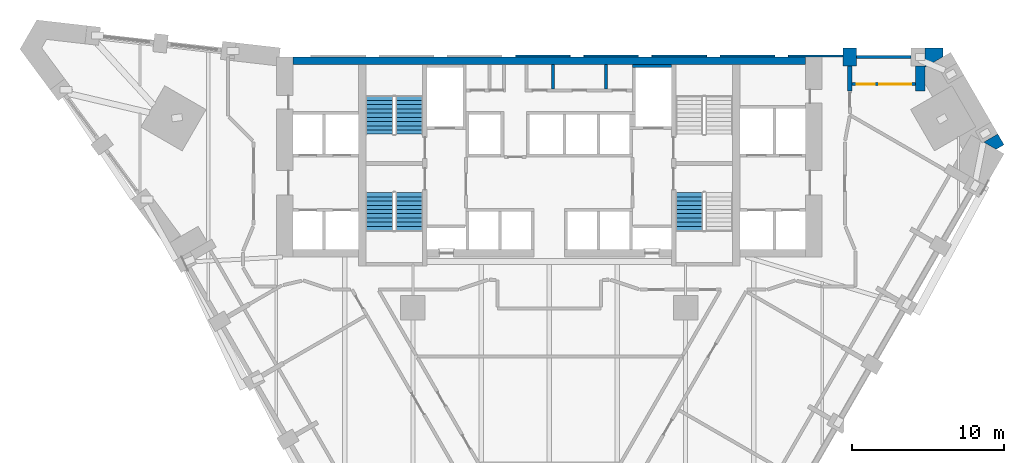
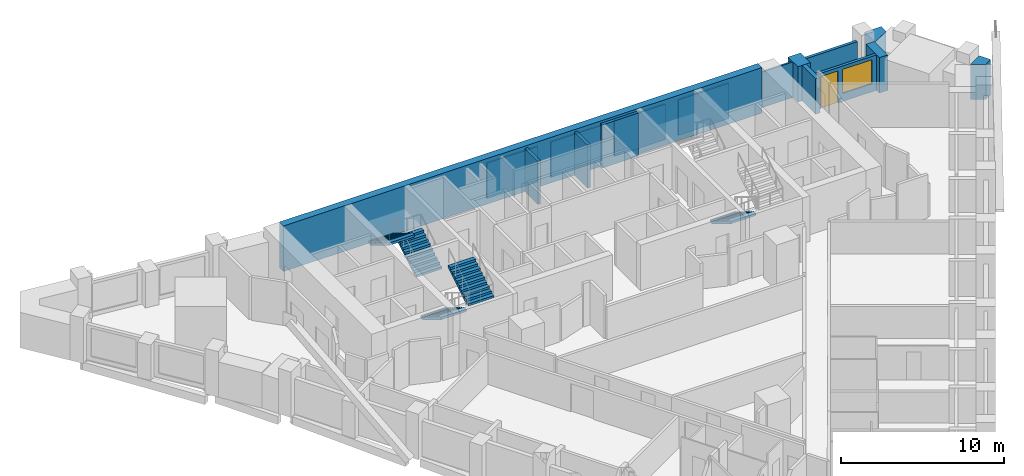
# One storey, part 9 of 11: 16 walls, 5 stair flights, 1 door, 1 window, 2 openings, 3 elements without a shape of their own.
"""IFC4 building model written with IfcOpenShell, lengths in metres."""

from ifc_helpers import new_model, si_unit, direction, frame, frame_2d, origin, place, context, subcontext, project, spatial, polyline, rectangle, outline, extrude, faceted_brep, source, transform, mapped, material, layer, layer_set, type_object, element, fill, aggregate, save


model = new_model("IFC4")

# Units and contexts
model_context = context("Model", 3, precision=1e-05, world=origin(), true_north=direction((0.0, 1.0)))
body_context = subcontext(model_context, "Body", "Model", "MODEL_VIEW")
ifc_project = project(units=[si_unit("LENGTHUNIT", "METRE"), si_unit("AREAUNIT", "SQUARE_METRE"), si_unit("VOLUMEUNIT", "CUBIC_METRE"), si_unit("PLANEANGLEUNIT", "RADIAN"), si_unit("MASSUNIT", "GRAM", prefix="KILO")], contexts=[model_context])

# Site, building, storey
site_placement = place(None, origin())
site = spatial("IfcSite", under=ifc_project, at=site_placement, CompositionType="ELEMENT")
building_placement = place(site_placement, origin())
building = spatial("IfcBuilding", under=site, at=building_placement, Name="Calabash Gate Tower", CompositionType="ELEMENT")
storey_placement = place(building_placement, frame((0.0, 0.0, 73.199951171875)))
storey = spatial("IfcBuildingStorey", under=building, at=storey_placement, Name="L14", CompositionType="ELEMENT", Elevation=73.199951171875)

# Walls
ifc_material_1 = material(Name="Terracotta brick masonry, exposed face", Category="masonry")
ifc_layer_1 = layer(ifc_material_1, 2.5)
ifc_layer_set_1 = layer_set([ifc_layer_1], Name="Brick corner mass wall 2500")
wall_type_1 = type_object("IfcWallType", Name="Brick corner mass wall 2500", PredefinedType="SOLIDWALL", material=ifc_layer_set_1)
wall_1_placement = place(storey_placement, origin())
element("IfcWall", 1, at=wall_1_placement, inside=storey, type_object=wall_type_1, Name="Brick corner pier S03 3ba", PredefinedType="SOLIDWALL", context=body_context, shape_type="SweptSolid", body=[
    extrude(outline(polyline([(29.481201171875, 12.957763671875), (30.000732421875, 13.2578125), (29.59130859375, 13.967041015625), (28.662353515625, 13.4306640625), (29.481201171875, 12.957763671875)])), origin(), (0.0, 0.0, 1.0), 2.630126953125),
])
wall_2_placement = place(storey_placement, origin())
element("IfcWall", 2, at=wall_2_placement, inside=storey, type_object=wall_type_1, Name="Brick corner pier S03 3c", PredefinedType="SOLIDWALL", context=body_context, shape_type="SweptSolid", body=[
    extrude(outline(polyline([(24.77783203125, 18.452880859375), (24.77783203125, 18.36865234375), (25.96240234375, 19.052490234375), (25.96240234375, 19.652587890625), (24.778076171875, 19.652587890625), (24.778076171875, 18.452880859375), (24.77783203125, 18.452880859375)])), origin(), (0.0, 0.0, 1.0), 2.630126953125),
])
ifc_material_2 = material(Name="Terracotta brick masonry, exposed face", Category="masonry")
ifc_layer_2 = layer(ifc_material_2, 1.199951171875)
ifc_layer_set_2 = layer_set([ifc_layer_2], Name="Brick end wall 1200")
wall_type_2 = type_object("IfcWallType", Name="Brick end wall 1200", PredefinedType="SOLIDWALL", material=ifc_layer_set_2)
wall_3_placement = place(storey_placement, origin())
element("IfcWall", 3, at=wall_3_placement, inside=storey, type_object=wall_type_2, Name="Brick pier S03 N4.1", PredefinedType="SOLIDWALL", context=body_context, shape_type="SweptSolid", body=[
    extrude(outline(polyline([(20.27783203125, 19.652587890625), (19.3779296875, 19.652587890625), (19.3779296875, 18.45263671875), (20.27783203125, 18.45263671875), (20.27783203125, 19.652587890625)])), origin(), (0.0, 0.0, 1.0), 2.650146484375),
])
ifc_material_3 = material(Name="Terracotta brick masonry, exposed face", Category="masonry")
ifc_layer_3 = layer(ifc_material_3, 0.300048828125)
ifc_layer_set_3 = layer_set([ifc_layer_3], Name="Brick loggia cheek wall 300")
wall_type_3 = type_object("IfcWallType", Name="Brick loggia cheek wall 300", PredefinedType="SOLIDWALL", material=ifc_layer_set_3)
wall_4_placement = place(storey_placement, origin())
element("IfcWall", 4, at=wall_4_placement, inside=storey, type_object=wall_type_3, Name="Loggia cheek S03 N4.0", PredefinedType="SOLIDWALL", context=body_context, shape_type="SweptSolid", body=[
    extrude(outline(polyline([(24.77783203125, 16.802490234375), (24.77783203125, 18.45263671875), (24.177978515625, 18.45263671875), (24.177978515625, 16.802490234375), (24.77783203125, 16.802490234375)])), origin(), (0.0, 0.0, 1.0), 2.650146484375),
])
wall_5_placement = place(storey_placement, origin())
element("IfcWall", 5, at=wall_5_placement, inside=storey, type_object=wall_type_3, Name="Loggia cheek S03 N4.1", PredefinedType="SOLIDWALL", context=body_context, shape_type="SweptSolid", body=[
    extrude(outline(polyline([(19.677978515625, 18.45263671875), (19.677978515625, 16.802490234375), (19.977783203125, 16.802490234375), (19.977783203125, 18.45263671875), (19.677978515625, 18.45263671875)])), origin(), (0.0, 0.0, 1.0), 2.650146484375),
])
ifc_material_4 = material(Name="Gypsum board on steel studs, mineral wool", Category="steel")
ifc_layer_4 = layer(ifc_material_4, 0.199951171875)
ifc_layer_set_4 = layer_set([ifc_layer_4], Name="Core partition 200 gypsum board")
wall_type_4 = type_object("IfcWallType", Name="Core partition 200 gypsum board", PredefinedType="PARTITIONING", material=ifc_layer_set_4)
for number, where, z_axis, x_axis, name in (
    (6, (0.25, 16.95263671875, 0.0), (0.0, 0.0, 1.0), (0.0, 1.0, 0.0), "Core partition"),
    (7, (3.75, 16.95263671875, 0.0), (0.0, 0.0, 1.0), (0.0, 1.0, 0.0), "Core partition"),
):
    element("IfcWall", number, at=place(storey_placement, frame(where, z_axis=z_axis, x_axis=x_axis)), inside=storey, type_object=wall_type_4, Name=name, PredefinedType="PARTITIONING", context=body_context, shape_type="SweptSolid", body=[
        extrude(rectangle(XDim=1.599853515625, YDim=0.199951171875, at=frame_2d((0.7998046875, 0.0))), origin(), (0.0, 0.0, 1.0), 3.22998046875),
    ])
ifc_material_5 = material(Name="Concrete C80/95", Category="concrete")
ifc_layer_5 = layer(ifc_material_5, 0.5)
ifc_layer_set_5 = layer_set([ifc_layer_5], Name="Core wall 500 Concrete C80/95")
wall_type_5 = type_object("IfcWallType", Name="Core wall 500 Concrete C80/95", PredefinedType="SHEAR", material=ifc_layer_set_5)
wall_6_placement = place(storey_placement, frame((-16.89990234375, 18.802490234375, 0.0), z_axis=(0.0, 0.0, 1.0), x_axis=(1.0, 0.0, 0.0)))
element("IfcWall", 8, at=wall_6_placement, inside=storey, type_object=wall_type_5, Name="Core wall Z1-N L14", PredefinedType="SHEAR", context=body_context, shape_type="SweptSolid", body=[
    extrude(rectangle(XDim=33.7998046875, YDim=0.5, at=frame_2d((16.89990234375, 0.0))), origin(), (0.0, 0.0, 1.0), 3.400146484375),
])
ifc_material_6 = material(Name="Concrete C40/50", Category="concrete")
ifc_layer_6 = layer(ifc_material_6, 0.199951171875)
ifc_layer_set_6 = layer_set([ifc_layer_6], Name="Shaft wall 200 Concrete C40/50")
wall_type_6 = type_object("IfcWallType", Name="Shaft wall 200 Concrete C40/50", PredefinedType="SOLIDWALL", material=ifc_layer_set_6)
wall_7_placement = place(storey_placement, frame((5.5, 18.45263671875, 0.0), z_axis=(0.0, 0.0, 1.0), x_axis=(1.0, 0.0, 0.0)))
element("IfcWall", 9, at=wall_7_placement, inside=storey, type_object=wall_type_6, Name="Shaft wall", PredefinedType="SOLIDWALL", context=body_context, shape_type="SweptSolid", body=[
    extrude(rectangle(XDim=2.550048828125, YDim=0.199951171875, at=frame_2d((1.27490234375, 0.0))), origin(), (0.0, 0.0, 1.0), 3.22998046875),
])
ifc_material_7 = material(Name="Terracotta brick masonry, perforated", Category="masonry")
ifc_layer_7 = layer(ifc_material_7, 0.1201171875)
ifc_layer_set_7 = layer_set([ifc_layer_7], Name="Terracotta jaali cladding A 120")
wall_type_7 = type_object("IfcWallType", Name="Terracotta jaali cladding A 120", PredefinedType="SOLIDWALL", material=ifc_layer_set_7)
wall_8_placement = place(storey_placement, origin())
element("IfcWall", 10, at=wall_8_placement, inside=storey, type_object=wall_type_7, Name="Jaali cladding S03 N4.3", PredefinedType="SOLIDWALL", context=body_context, shape_type="SweptSolid", body=[
    extrude(outline(polyline([(11.27783203125, 19.172607421875), (11.27783203125, 19.052490234375), (14.8779296875, 19.052490234375), (14.8779296875, 19.172607421875), (11.27783203125, 19.172607421875)])), origin(), (0.0, 0.0, 1.0), 2.650146484375),
])
wall_9_placement = place(storey_placement, origin())
element("IfcWall", 11, at=wall_9_placement, inside=storey, type_object=wall_type_7, Name="Jaali cladding S03 N4.5", PredefinedType="SOLIDWALL", context=body_context, shape_type="SweptSolid", body=[
    extrude(outline(polyline([(2.27783203125, 19.172607421875), (2.27783203125, 19.052490234375), (5.8779296875, 19.052490234375), (5.8779296875, 19.172607421875), (2.27783203125, 19.172607421875)])), origin(), (0.0, 0.0, 1.0), 2.650146484375),
])
ifc_material_8 = material(Name="Terracotta brick masonry, perforated", Category="masonry")
ifc_layer_8 = layer(ifc_material_8, 0.199951171875)
ifc_layer_set_8 = layer_set([ifc_layer_8], Name="Terracotta jaali screen A")
wall_type_8 = type_object("IfcWallType", Name="Terracotta jaali screen A", PredefinedType="SOLIDWALL", material=ifc_layer_set_8)
wall_10_placement = place(storey_placement, frame((23.8779296875, 19.052490234375, 0.0), z_axis=(0.0, 0.0, 1.0), x_axis=(-1.0, 0.0, 0.0)))
element("IfcWall", 12, at=wall_10_placement, inside=storey, type_object=wall_type_8, Name="SCREEN A S03 N4.1", PredefinedType="SOLIDWALL", context=body_context, shape_type="SweptSolid", body=[
    extrude(rectangle(XDim=3.60009765625, YDim=0.199951171875, at=frame_2d((1.800048828125, 0.0))), origin(), (0.0, 0.0, 1.0), 2.650146484375),
])
ifc_material_9 = material(Name="Terracotta louvre blades in an aluminium frame", Category="masonry")
ifc_layer_9 = layer(ifc_material_9, 0.1201171875)
ifc_layer_set_9 = layer_set([ifc_layer_9], Name="Terracotta vent louvre cladding 120")
wall_type_9 = type_object("IfcWallType", Name="Terracotta vent louvre cladding 120", PredefinedType="ELEMENTEDWALL", material=ifc_layer_set_9)
wall_11_placement = place(storey_placement, origin())
element("IfcWall", 13, at=wall_11_placement, inside=storey, type_object=wall_type_9, Name="Vent louvre cladding S03 N4.2", PredefinedType="ELEMENTEDWALL", context=body_context, shape_type="SweptSolid", body=[
    extrude(outline(polyline([(15.77783203125, 19.172607421875), (15.77783203125, 19.052490234375), (19.37744140625, 19.052490234375), (19.37744140625, 19.172607421875), (15.77783203125, 19.172607421875)])), origin(), (0.0, 0.0, 1.0), 2.650146484375),
])
wall_12_placement = place(storey_placement, origin())
element("IfcWall", 14, at=wall_12_placement, inside=storey, type_object=wall_type_9, Name="Vent louvre cladding S03 N4.4", PredefinedType="ELEMENTEDWALL", context=body_context, shape_type="SweptSolid", body=[
    extrude(outline(polyline([(6.77783203125, 19.172607421875), (6.77783203125, 19.052490234375), (10.3779296875, 19.052490234375), (10.3779296875, 19.172607421875), (6.77783203125, 19.172607421875)])), origin(), (0.0, 0.0, 1.0), 2.650146484375),
])
wall_13_placement = place(storey_placement, origin())
element("IfcWall", 15, at=wall_13_placement, inside=storey, type_object=wall_type_9, Name="Vent louvre cladding S03 N4.6", PredefinedType="ELEMENTEDWALL", context=body_context, shape_type="SweptSolid", body=[
    extrude(outline(polyline([(-2.22216796875, 19.172607421875), (-2.22216796875, 19.052490234375), (1.3779296875, 19.052490234375), (1.3779296875, 19.172607421875), (-2.22216796875, 19.172607421875)])), origin(), (0.0, 0.0, 1.0), 2.650146484375),
])

# Wall, openings, door, window
ifc_material_10 = material(Name="Aluminium framed window wall with insulated spandrel", Category="aluminium")
ifc_layer_10 = layer(ifc_material_10, 0.199951171875)
ifc_layer_set_10 = layer_set([ifc_layer_10], Name="Window wall 200")
wall_type_10 = type_object("IfcWallType", Name="Window wall 200", PredefinedType="ELEMENTEDWALL", material=ifc_layer_set_10)
wall_14_placement = place(storey_placement, frame((24.177978515625, 17.25244140625, 0.0), z_axis=(0.0, 0.0, 1.0), x_axis=(-1.0, 0.0, 0.0)))
wall_14 = element("IfcWall", 16, at=wall_14_placement, inside=storey, type_object=wall_type_10, Name="Window wall S03 N4.1", PredefinedType="ELEMENTEDWALL", context=body_context, shape_type="SweptSolid", body=[
    extrude(rectangle(XDim=4.2001953125, YDim=0.199951171875, at=frame_2d((2.10009765625, 0.0))), origin(), (0.0, 0.0, 1.0), 2.650146484375),
])
opening_1_placement = place(wall_14_placement, frame((0.300048828125, 0.0, 0.60009765625)))
opening_1 = element("IfcOpeningElement", 17, at=opening_1_placement, cuts=wall_14, Name="Opening HW1", PredefinedType="OPENING", context=body_context, shape_type="SweptSolid", body=[
    extrude(rectangle(XDim=2.10009765625, YDim=1.800048828125, at=frame_2d((1.050048828125, 0.89990234375))), frame((0.0, 0.10986328125, 0.0), z_axis=(0.0, -1.0, 0.0), x_axis=(1.0, 0.0, 0.0)), (0.0, 0.0, 1.0), 0.219970703125),
])
opening_2_placement = place(wall_14_placement, frame((2.699951171875, 0.0, 0.0)))
opening_2 = element("IfcOpeningElement", 18, at=opening_2_placement, cuts=wall_14, Name="Opening H3-019", PredefinedType="OPENING", context=body_context, shape_type="SweptSolid", body=[
    extrude(rectangle(XDim=1.199951171875, YDim=2.39990234375, at=frame_2d((0.60009765625, 1.199951171875))), frame((0.0, 0.10986328125, 0.0), z_axis=(0.0, -1.0, 0.0), x_axis=(1.0, 0.0, 0.0)), (0.0, 0.0, 1.0), 0.219970703125),
])
ifc_material_11 = material(Name="Anodised aluminium frame, bronze finish, impact-rated laminated clear glazing", Category="aluminium")
door_type = type_object("IfcDoorType", Name="Loggia door DH1 1200x2400", OperationType="SLIDING_TO_LEFT", PredefinedType="DOOR", material=ifc_material_11)
door_placement = place(opening_2_placement, origin())
door = element("IfcDoor", 19, at=door_placement, inside=storey, type_object=door_type, Name="Loggia door S03 N4.1", OperationType="SINGLE_SWING_LEFT", OverallHeight=2.39990234375, OverallWidth=1.199951171875, PredefinedType="DOOR", context=body_context, shape_type="SweptSolid", body=[
    extrude(rectangle(XDim=1.199951171875, YDim=2.39990234375, at=frame_2d((0.60009765625, 1.199951171875))), frame((0.0, 0.02490234375, 0.0), z_axis=(0.0, -1.0, 0.0), x_axis=(1.0, 0.0, 0.0)), (0.0, 0.0, 1.0), 0.050048828125),
])
fill(opening_2, door)
ifc_material_12 = material(Name="Anodised aluminium frame, bronze finish, impact-rated laminated clear glazing", Category="aluminium")
window_type = type_object("IfcWindowType", Name="Window HW1 2100x1800", PartitioningType="DOUBLE_PANEL_VERTICAL", PredefinedType="WINDOW", material=ifc_material_12)
window_placement = place(opening_1_placement, origin())
window = element("IfcWindow", 20, at=window_placement, inside=storey, type_object=window_type, Name="Window HW1 S03 N4.1", OverallHeight=1.800048828125, OverallWidth=2.10009765625, PartitioningType="SINGLE_PANEL", PredefinedType="WINDOW", context=body_context, shape_type="SweptSolid", body=[
    extrude(rectangle(XDim=2.10009765625, YDim=1.800048828125, at=frame_2d((1.050048828125, 0.89990234375))), frame((0.0, 0.030029296875, 0.0), z_axis=(0.0, -1.0, 0.0), x_axis=(1.0, 0.0, 0.0)), (0.0, 0.0, 1.0), 0.06005859375),
])
fill(opening_1, window)

# Stair, stair flights
ifc_material_13 = material(Name="Concrete C40/50", Category="concrete")
stair_type = type_object("IfcStairType", Name="Exit stair 20 risers of 170 mm", PredefinedType="HALF_TURN_STAIR", material=ifc_material_13)
stair_1_placement = place(storey_placement, origin())
stair_1 = element("IfcStair", 21, at=stair_1_placement, inside=storey, type_object=stair_type, Name="L14 Exit stair ST1", PredefinedType="HALF_TURN_STAIR")
ifc_material_14 = material(Name="Concrete C40/50", Category="concrete")
stair_flight_type = type_object("IfcStairFlightType", Name="Exit stair flight SFL", PredefinedType="STRAIGHT", material=ifc_material_14)
shared_shape = source(origin(), body_context, "Body", "Brep", [
    faceted_brep([(-0.0009765625, -0.89990234375, 0.0), (0.2880859375, -0.89990234375, 0.0), (2.511962890625, -0.89990234375, 1.3544921875), (-0.0009765625, 0.89990234375, 0.0), (2.511962890625, 0.89990234375, 1.3544921875), (0.2880859375, 0.89990234375, 0.0), (2.511962890625, -0.89990234375, 1.5419921875), (2.510986328125, -0.89990234375, 1.5419921875), (2.510986328125, 0.89990234375, 1.5419921875), (2.511962890625, 0.89990234375, 1.5419921875), (2.510986328125, -0.89990234375, 1.530029296875), (2.510986328125, 0.89990234375, 1.530029296875), (2.23193359375, -0.89990234375, 1.530029296875), (2.23193359375, 0.89990234375, 1.530029296875), (2.23193359375, -0.89990234375, 1.360107421875), (2.23193359375, 0.89990234375, 1.360107421875), (1.952880859375, -0.89990234375, 1.360107421875), (1.952880859375, 0.89990234375, 1.360107421875), (1.952880859375, -0.89990234375, 1.18994140625), (1.952880859375, 0.89990234375, 1.18994140625), (1.674072265625, -0.89990234375, 1.18994140625), (1.674072265625, -0.89990234375, 1.02001953125), (1.674072265625, 0.89990234375, 1.02001953125), (1.674072265625, 0.89990234375, 1.18994140625), (1.39501953125, -0.89990234375, 1.02001953125), (1.39501953125, -0.89990234375, 0.85009765625), (1.39501953125, 0.89990234375, 0.85009765625), (1.39501953125, 0.89990234375, 1.02001953125), (1.115966796875, -0.89990234375, 0.85009765625), (1.115966796875, -0.89990234375, 0.679931640625), (1.115966796875, 0.89990234375, 0.679931640625), (1.115966796875, 0.89990234375, 0.85009765625), (0.8369140625, -0.89990234375, 0.679931640625), (0.8369140625, -0.89990234375, 0.510009765625), (0.8369140625, 0.89990234375, 0.510009765625), (0.8369140625, 0.89990234375, 0.679931640625), (0.55810546875, -0.89990234375, 0.510009765625), (0.55810546875, -0.89990234375, 0.340087890625), (0.55810546875, 0.89990234375, 0.340087890625), (0.55810546875, 0.89990234375, 0.510009765625), (0.279052734375, -0.89990234375, 0.340087890625), (0.279052734375, -0.89990234375, 0.169921875), (0.279052734375, 0.89990234375, 0.169921875), (0.279052734375, 0.89990234375, 0.340087890625), (-0.0009765625, -0.89990234375, 0.169921875), (-0.0009765625, 0.89990234375, 0.169921875), (0.2880859375, -0.360107421875, 0.0), (2.511962890625, -0.360107421875, 1.3544921875), (0.2880859375, -0.179931640625, 0.0), (2.511962890625, -0.179931640625, 1.3544921875), (0.2880859375, 0.0, 0.0), (2.511962890625, 0.0, 1.3544921875), (0.2880859375, 0.179931640625, 0.0), (2.511962890625, 0.179931640625, 1.3544921875), (0.2880859375, 0.360107421875, 0.0), (2.511962890625, 0.360107421875, 1.3544921875), (2.511962890625, -0.360107421875, 1.5419921875), (2.511962890625, -0.179931640625, 1.5419921875), (2.511962890625, 0.0, 1.5419921875), (2.511962890625, 0.179931640625, 1.5419921875), (2.511962890625, 0.360107421875, 1.5419921875), (2.510986328125, -0.360107421875, 1.5419921875), (2.510986328125, -0.179931640625, 1.5419921875), (2.510986328125, 0.0, 1.5419921875), (2.510986328125, 0.179931640625, 1.5419921875), (2.510986328125, 0.360107421875, 1.5419921875), (2.510986328125, -0.360107421875, 1.530029296875), (2.510986328125, -0.179931640625, 1.530029296875), (2.510986328125, 0.0, 1.530029296875), (2.510986328125, 0.179931640625, 1.530029296875), (2.510986328125, 0.360107421875, 1.530029296875), (2.23193359375, -0.360107421875, 1.530029296875), (2.23193359375, -0.179931640625, 1.530029296875), (2.23193359375, 0.0, 1.530029296875), (2.23193359375, 0.179931640625, 1.530029296875), (2.23193359375, 0.360107421875, 1.530029296875), (2.23193359375, -0.360107421875, 1.360107421875), (2.23193359375, -0.179931640625, 1.360107421875), (2.23193359375, 0.0, 1.360107421875), (2.23193359375, 0.179931640625, 1.360107421875), (2.23193359375, 0.360107421875, 1.360107421875), (1.952880859375, -0.360107421875, 1.360107421875), (1.952880859375, -0.179931640625, 1.360107421875), (1.952880859375, 0.0, 1.360107421875), (1.952880859375, 0.179931640625, 1.360107421875), (1.952880859375, 0.360107421875, 1.360107421875), (1.952880859375, -0.360107421875, 1.18994140625), (1.952880859375, -0.179931640625, 1.18994140625), (1.952880859375, 0.0, 1.18994140625), (1.952880859375, 0.179931640625, 1.18994140625), (1.952880859375, 0.360107421875, 1.18994140625), (1.674072265625, -0.360107421875, 1.18994140625), (1.674072265625, -0.179931640625, 1.18994140625), (1.674072265625, 0.0, 1.18994140625), (1.674072265625, 0.179931640625, 1.18994140625), (1.674072265625, 0.360107421875, 1.18994140625), (1.674072265625, -0.360107421875, 1.02001953125), (1.674072265625, -0.179931640625, 1.02001953125), (1.674072265625, 0.0, 1.02001953125), (1.674072265625, 0.179931640625, 1.02001953125), (1.674072265625, 0.360107421875, 1.02001953125), (1.39501953125, -0.360107421875, 1.02001953125), (1.39501953125, -0.179931640625, 1.02001953125), (1.39501953125, 0.0, 1.02001953125), (1.39501953125, 0.179931640625, 1.02001953125), (1.39501953125, 0.360107421875, 1.02001953125), (1.39501953125, -0.360107421875, 0.85009765625), (1.39501953125, -0.179931640625, 0.85009765625), (1.39501953125, 0.0, 0.85009765625), (1.39501953125, 0.179931640625, 0.85009765625), (1.39501953125, 0.360107421875, 0.85009765625), (1.115966796875, -0.360107421875, 0.85009765625), (1.115966796875, -0.179931640625, 0.85009765625), (1.115966796875, 0.0, 0.85009765625), (1.115966796875, 0.179931640625, 0.85009765625), (1.115966796875, 0.360107421875, 0.85009765625), (1.115966796875, -0.360107421875, 0.679931640625), (1.115966796875, -0.179931640625, 0.679931640625), (1.115966796875, 0.0, 0.679931640625), (1.115966796875, 0.179931640625, 0.679931640625), (1.115966796875, 0.360107421875, 0.679931640625), (0.8369140625, -0.360107421875, 0.679931640625), (0.8369140625, -0.179931640625, 0.679931640625), (0.8369140625, 0.0, 0.679931640625), (0.8369140625, 0.179931640625, 0.679931640625), (0.8369140625, 0.360107421875, 0.679931640625), (0.8369140625, -0.360107421875, 0.510009765625), (0.8369140625, -0.179931640625, 0.510009765625), (0.8369140625, 0.0, 0.510009765625), (0.8369140625, 0.179931640625, 0.510009765625), (0.8369140625, 0.360107421875, 0.510009765625), (0.55810546875, -0.360107421875, 0.510009765625), (0.55810546875, -0.179931640625, 0.510009765625), (0.55810546875, 0.0, 0.510009765625), (0.55810546875, 0.179931640625, 0.510009765625), (0.55810546875, 0.360107421875, 0.510009765625), (0.55810546875, -0.360107421875, 0.340087890625), (0.55810546875, -0.179931640625, 0.340087890625), (0.55810546875, 0.0, 0.340087890625), (0.55810546875, 0.179931640625, 0.340087890625), (0.55810546875, 0.360107421875, 0.340087890625), (0.279052734375, -0.360107421875, 0.340087890625), (0.279052734375, -0.179931640625, 0.340087890625), (0.279052734375, 0.0, 0.340087890625), (0.279052734375, 0.179931640625, 0.340087890625), (0.279052734375, 0.360107421875, 0.340087890625), (0.279052734375, -0.360107421875, 0.169921875), (0.279052734375, -0.179931640625, 0.169921875), (0.279052734375, 0.0, 0.169921875), (0.279052734375, 0.179931640625, 0.169921875), (0.279052734375, 0.360107421875, 0.169921875), (-0.0009765625, -0.360107421875, 0.169921875), (-0.0009765625, -0.179931640625, 0.169921875), (-0.0009765625, 0.0, 0.169921875), (-0.0009765625, 0.179931640625, 0.169921875), (-0.0009765625, 0.360107421875, 0.169921875), (-0.0009765625, -0.360107421875, 0.0), (-0.0009765625, -0.179931640625, 0.0), (-0.0009765625, 0.0, 0.0), (-0.0009765625, 0.179931640625, 0.0), (-0.0009765625, 0.360107421875, 0.0)], [[[0, 1, 2]], [[3, 4, 5]], [[2, 6, 7]], [[4, 8, 9]], [[2, 7, 10]], [[4, 11, 8]], [[2, 10, 12]], [[4, 13, 11]], [[2, 12, 14]], [[4, 15, 13]], [[2, 14, 16]], [[4, 17, 15]], [[2, 16, 18]], [[4, 19, 17]], [[18, 20, 21]], [[19, 22, 23]], [[2, 18, 21]], [[4, 22, 19]], [[21, 24, 25]], [[22, 26, 27]], [[2, 21, 25]], [[4, 26, 22]], [[25, 28, 29]], [[26, 30, 31]], [[2, 25, 29]], [[4, 30, 26]], [[29, 32, 33]], [[30, 34, 35]], [[2, 29, 33]], [[4, 34, 30]], [[33, 36, 37]], [[34, 38, 39]], [[2, 33, 37]], [[4, 38, 34]], [[37, 40, 41]], [[38, 42, 43]], [[2, 37, 41]], [[4, 42, 38]], [[0, 2, 41]], [[3, 42, 4]], [[41, 44, 0]], [[42, 3, 45]], [[1, 46, 2]], [[46, 47, 2]], [[46, 48, 47]], [[48, 49, 47]], [[48, 50, 49]], [[50, 51, 49]], [[50, 52, 53]], [[50, 53, 51]], [[52, 54, 55]], [[52, 55, 53]], [[54, 5, 4]], [[54, 4, 55]], [[2, 47, 6]], [[47, 56, 6]], [[47, 49, 56]], [[49, 57, 56]], [[49, 51, 57]], [[51, 58, 57]], [[51, 53, 59]], [[51, 59, 58]], [[53, 55, 60]], [[53, 60, 59]], [[55, 4, 9]], [[55, 9, 60]], [[6, 56, 7]], [[56, 61, 7]], [[56, 57, 61]], [[57, 62, 61]], [[57, 58, 62]], [[58, 63, 62]], [[58, 59, 64]], [[58, 64, 63]], [[59, 60, 65]], [[59, 65, 64]], [[60, 9, 8]], [[60, 8, 65]], [[7, 61, 10]], [[61, 66, 10]], [[61, 62, 66]], [[62, 67, 66]], [[62, 63, 67]], [[63, 68, 67]], [[63, 64, 69]], [[63, 69, 68]], [[64, 65, 70]], [[64, 70, 69]], [[65, 8, 11]], [[65, 11, 70]], [[10, 66, 12]], [[66, 71, 12]], [[66, 67, 71]], [[67, 72, 71]], [[67, 68, 72]], [[68, 73, 72]], [[68, 69, 74]], [[68, 74, 73]], [[69, 70, 75]], [[69, 75, 74]], [[70, 11, 13]], [[70, 13, 75]], [[12, 71, 14]], [[71, 76, 14]], [[71, 72, 76]], [[72, 77, 76]], [[72, 73, 77]], [[73, 78, 77]], [[73, 74, 79]], [[73, 79, 78]], [[74, 75, 80]], [[74, 80, 79]], [[75, 13, 15]], [[75, 15, 80]], [[14, 76, 16]], [[76, 81, 16]], [[76, 77, 81]], [[77, 82, 81]], [[77, 78, 82]], [[78, 83, 82]], [[78, 79, 84]], [[78, 84, 83]], [[79, 80, 85]], [[79, 85, 84]], [[80, 15, 17]], [[80, 17, 85]], [[16, 81, 18]], [[81, 86, 18]], [[81, 82, 86]], [[82, 87, 86]], [[82, 83, 87]], [[83, 88, 87]], [[83, 84, 89]], [[83, 89, 88]], [[84, 85, 90]], [[84, 90, 89]], [[85, 17, 19]], [[85, 19, 90]], [[18, 86, 20]], [[86, 91, 20]], [[86, 87, 91]], [[87, 92, 91]], [[87, 88, 92]], [[88, 93, 92]], [[88, 89, 94]], [[88, 94, 93]], [[89, 90, 95]], [[89, 95, 94]], [[90, 19, 23]], [[90, 23, 95]], [[20, 91, 21]], [[91, 96, 21]], [[91, 92, 96]], [[92, 97, 96]], [[92, 93, 97]], [[93, 98, 97]], [[93, 94, 99]], [[93, 99, 98]], [[94, 95, 100]], [[94, 100, 99]], [[95, 23, 22]], [[95, 22, 100]], [[21, 96, 24]], [[96, 101, 24]], [[96, 97, 101]], [[97, 102, 101]], [[97, 98, 102]], [[98, 103, 102]], [[98, 99, 104]], [[98, 104, 103]], [[99, 100, 105]], [[99, 105, 104]], [[100, 22, 27]], [[100, 27, 105]], [[24, 101, 25]], [[101, 106, 25]], [[101, 102, 106]], [[102, 107, 106]], [[102, 103, 107]], [[103, 108, 107]], [[103, 104, 109]], [[103, 109, 108]], [[104, 105, 110]], [[104, 110, 109]], [[105, 27, 26]], [[105, 26, 110]], [[25, 106, 28]], [[106, 111, 28]], [[106, 107, 111]], [[107, 112, 111]], [[107, 108, 112]], [[108, 113, 112]], [[108, 109, 114]], [[108, 114, 113]], [[109, 110, 115]], [[109, 115, 114]], [[110, 26, 31]], [[110, 31, 115]], [[28, 111, 29]], [[111, 116, 29]], [[111, 112, 116]], [[112, 117, 116]], [[112, 113, 117]], [[113, 118, 117]], [[113, 114, 119]], [[113, 119, 118]], [[114, 115, 120]], [[114, 120, 119]], [[115, 31, 30]], [[115, 30, 120]], [[29, 116, 32]], [[116, 121, 32]], [[116, 117, 121]], [[117, 122, 121]], [[117, 118, 122]], [[118, 123, 122]], [[118, 119, 124]], [[118, 124, 123]], [[119, 120, 125]], [[119, 125, 124]], [[120, 30, 35]], [[120, 35, 125]], [[32, 121, 33]], [[121, 126, 33]], [[121, 122, 126]], [[122, 127, 126]], [[122, 123, 127]], [[123, 128, 127]], [[123, 124, 129]], [[123, 129, 128]], [[124, 125, 130]], [[124, 130, 129]], [[125, 35, 34]], [[125, 34, 130]], [[33, 126, 36]], [[126, 131, 36]], [[126, 127, 131]], [[127, 132, 131]], [[127, 128, 132]], [[128, 133, 132]], [[128, 129, 134]], [[128, 134, 133]], [[129, 130, 135]], [[129, 135, 134]], [[130, 34, 39]], [[130, 39, 135]], [[36, 131, 37]], [[131, 136, 37]], [[131, 132, 136]], [[132, 137, 136]], [[132, 133, 137]], [[133, 138, 137]], [[133, 134, 139]], [[133, 139, 138]], [[134, 135, 140]], [[134, 140, 139]], [[135, 39, 38]], [[135, 38, 140]], [[37, 136, 40]], [[136, 141, 40]], [[136, 137, 141]], [[137, 142, 141]], [[137, 138, 142]], [[138, 143, 142]], [[138, 139, 144]], [[138, 144, 143]], [[139, 140, 145]], [[139, 145, 144]], [[140, 38, 43]], [[140, 43, 145]], [[40, 141, 41]], [[141, 146, 41]], [[141, 142, 146]], [[142, 147, 146]], [[142, 143, 147]], [[143, 148, 147]], [[143, 144, 149]], [[143, 149, 148]], [[144, 145, 150]], [[144, 150, 149]], [[145, 43, 42]], [[145, 42, 150]], [[41, 146, 44]], [[146, 151, 44]], [[146, 147, 151]], [[147, 152, 151]], [[147, 148, 152]], [[148, 153, 152]], [[148, 149, 154]], [[148, 154, 153]], [[149, 150, 155]], [[149, 155, 154]], [[150, 42, 45]], [[150, 45, 155]], [[44, 151, 0]], [[151, 156, 0]], [[151, 152, 156]], [[152, 157, 156]], [[152, 153, 157]], [[153, 158, 157]], [[153, 154, 159]], [[153, 159, 158]], [[154, 155, 160]], [[154, 160, 159]], [[155, 45, 3]], [[155, 3, 160]], [[0, 156, 1]], [[156, 46, 1]], [[156, 157, 46]], [[157, 48, 46]], [[157, 158, 48]], [[158, 50, 48]], [[158, 159, 52]], [[158, 52, 50]], [[159, 160, 54]], [[159, 54, 52]], [[160, 3, 5]], [[160, 5, 54]]]),
])
stair_flight_1_placement = place(storey_placement, frame((-9.25, 13.95263671875, 0.0), z_axis=(0.0, 0.0, 1.0), x_axis=(0.0, 1.0, 0.0)))
stair_flight_1 = element("IfcStairFlight", 22, at=stair_flight_1_placement, type_object=stair_flight_type, Name="ST1 flight 1", NumberOfRisers=10, NumberOfTreads=9, PredefinedType="STRAIGHT", RiserHeight=0.17, TreadLength=0.279, context=body_context, shape_type="MappedRepresentation", body=[
    mapped(shared_shape, transform((0.0, 0.0, 0.0), scale=1.0)),
])
stair_flight_2_placement = place(storey_placement, frame((-11.199951171875, 16.463623046875, 1.699951171875), z_axis=(0.0, 0.0, 1.0), x_axis=(0.0, -1.0, 0.0)))
stair_flight_2 = element("IfcStairFlight", 23, at=stair_flight_2_placement, type_object=stair_flight_type, Name="ST1 flight 2", NumberOfRisers=10, NumberOfTreads=9, PredefinedType="STRAIGHT", RiserHeight=0.17, TreadLength=0.279, context=body_context, shape_type="MappedRepresentation", body=[
    mapped(shared_shape, transform((0.0, 0.0, 0.0), scale=1.0)),
])
aggregate(stair_1, [stair_flight_1, stair_flight_2])

stair_2_placement = place(storey_placement, origin())
stair_2 = element("IfcStair", 24, at=stair_2_placement, inside=storey, type_object=stair_type, Name="L14 Exit stair ST2", PredefinedType="HALF_TURN_STAIR")
stair_flight_3_placement = place(storey_placement, frame((-11.199951171875, 10.1025390625, 0.0), z_axis=(0.0, 0.0, 1.0), x_axis=(0.0, -1.0, 0.0)))
stair_flight_3 = element("IfcStairFlight", 25, at=stair_flight_3_placement, type_object=stair_flight_type, Name="ST2 flight 1", NumberOfRisers=10, NumberOfTreads=9, PredefinedType="STRAIGHT", RiserHeight=0.17, TreadLength=0.279, context=body_context, shape_type="MappedRepresentation", body=[
    mapped(shared_shape, transform((0.0, 0.0, 0.0), scale=1.0)),
])
stair_flight_4_placement = place(storey_placement, frame((-9.25, 7.591552734375, 1.699951171875), z_axis=(0.0, 0.0, 1.0), x_axis=(0.0, 1.0, 0.0)))
stair_flight_4 = element("IfcStairFlight", 26, at=stair_flight_4_placement, type_object=stair_flight_type, Name="ST2 flight 2", NumberOfRisers=10, NumberOfTreads=9, PredefinedType="STRAIGHT", RiserHeight=0.17, TreadLength=0.279, context=body_context, shape_type="MappedRepresentation", body=[
    mapped(shared_shape, transform((0.0, 0.0, 0.0), scale=1.0)),
])
aggregate(stair_2, [stair_flight_3, stair_flight_4])

# Stair, stair flight
stair_3_placement = place(storey_placement, origin())
stair_3 = element("IfcStair", 27, at=stair_3_placement, inside=storey, type_object=stair_type, Name="L14 Exit stair ST4", PredefinedType="HALF_TURN_STAIR")
stair_flight_5_placement = place(storey_placement, frame((9.25, 10.1025390625, 0.0), z_axis=(0.0, 0.0, 1.0), x_axis=(0.0, -1.0, 0.0)))
stair_flight_5 = element("IfcStairFlight", 28, at=stair_flight_5_placement, type_object=stair_flight_type, Name="ST4 flight 1", NumberOfRisers=10, NumberOfTreads=9, PredefinedType="STRAIGHT", RiserHeight=0.17, TreadLength=0.279, context=body_context, shape_type="MappedRepresentation", body=[
    mapped(shared_shape, transform((0.0, 0.0, 0.0), scale=1.0)),
])
aggregate(stair_3, [stair_flight_5])

save(model, "model.ifc")
